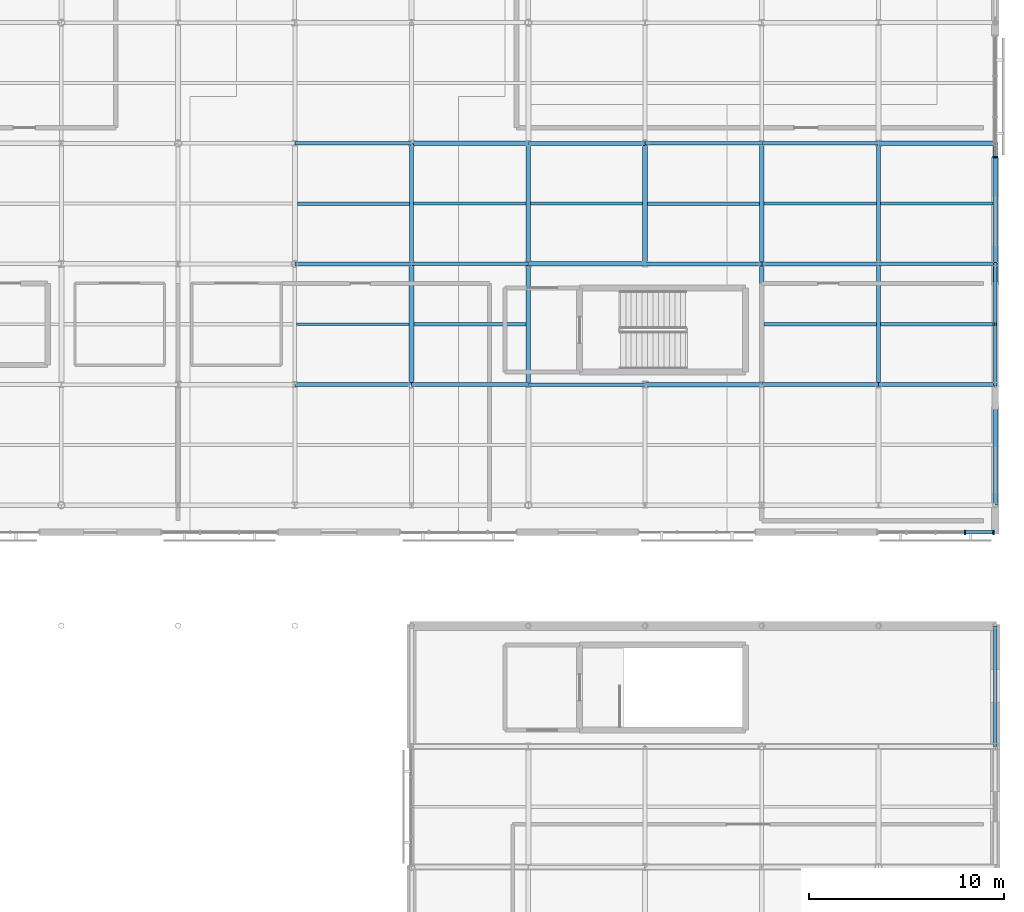
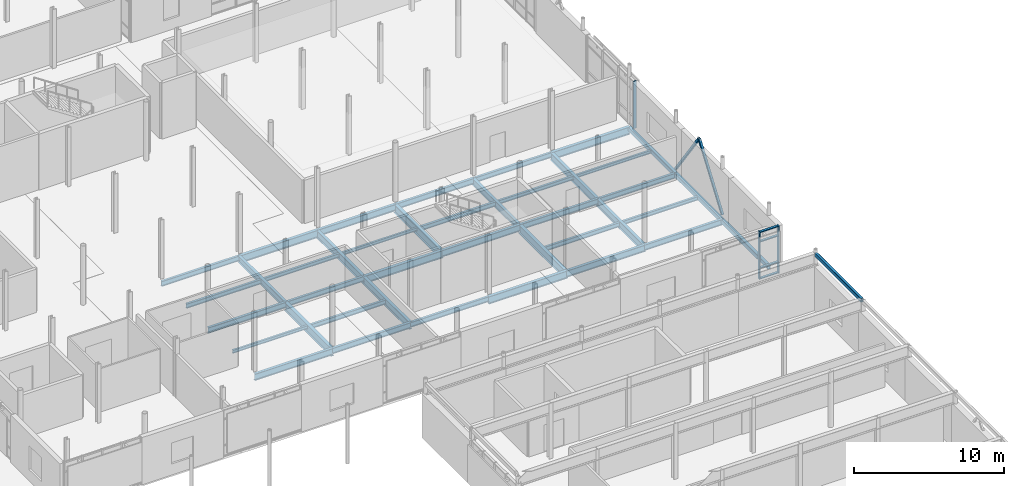
# One storey, part 43 of 84: 41 beams, 9 members, 2 elements without a shape of their own.
"""IFC4 building model written with IfcOpenShell, lengths in metres."""

from ifc_helpers import new_model, si_unit, direction, frame, origin, origin_2d, place, context, subcontext, project, spatial, rectangle, hollow_rectangle, i_section, extrude, material, layer, layer_set, material_profile, profile_set, type_object, element, aggregate, save


model = new_model("IFC4")

# Units and contexts
model_context = context("Model", 3, precision=1e-05, world=origin(), true_north=direction((0.0, 1.0)))
body_context = subcontext(model_context, "Body", "Model", "MODEL_VIEW")
ifc_project = project(units=[si_unit("LENGTHUNIT", "METRE"), si_unit("AREAUNIT", "SQUARE_METRE"), si_unit("VOLUMEUNIT", "CUBIC_METRE"), si_unit("PLANEANGLEUNIT", "RADIAN"), si_unit("MASSUNIT", "GRAM", prefix="KILO")], contexts=[model_context])

# Site, building, storey
site_placement = place(None, origin())
site = spatial("IfcSite", under=ifc_project, at=site_placement, CompositionType="ELEMENT")
building_placement = place(site_placement, origin())
building = spatial("IfcBuilding", under=site, at=building_placement, Name="Mirzam Square Science Centre", CompositionType="ELEMENT")
storey_placement = place(building_placement, frame((0.0, 0.0, 10.800048828125)))
storey = spatial("IfcBuildingStorey", under=building, at=storey_placement, Name="L02", CompositionType="ELEMENT", Elevation=10.800048828125)

# Beams
ifc_material_1 = material(Name="Steel S355", Category="steel")
ifc_material_profile_1 = material_profile(ifc_material_1, i_section(OverallWidth=0.1787109375, OverallDepth=0.409423828125, WebThickness=0.0087890625, FlangeThickness=0.014404296875, FilletRadius=0.01025390625, at=origin_2d()), Name="406x178x67UB")
ifc_profile_set_1 = profile_set([ifc_material_profile_1], Name="Steel S355")
beam_type_1 = type_object("IfcBeamType", Name="BM-UB406", PredefinedType="BEAM", material=ifc_profile_set_1)
for number, where, z_axis, x_axis, name in (
    (1, (138.0, 49.60009765625, -0.454833984375), (1.0, 0.0, 0.0), (0.0, 1.0, 0.0), "L02 girder X24-9"),
    (2, (132.0, 55.800048828125, -0.454833984375), (1.0, 0.0, 0.0), (0.0, 1.0, 0.0), "L02 girder X23-10"),
    (3, (156.0, 55.800048828125, -0.454833984375), (1.0, 0.0, 0.0), (0.0, 1.0, 0.0), "L02 girder X27-10"),
    (4, (126.0, 62.0, -0.454833984375), (1.0, 0.0, 0.0), (0.0, 1.0, 0.0), "L02 girder X22-11"),
    (5, (150.0, 62.0, -0.454833984375), (1.0, 0.0, 0.0), (0.0, 1.0, 0.0), "L02 girder X26-11"),
):
    element("IfcBeam", number, at=place(storey_placement, frame(where, z_axis=z_axis, x_axis=x_axis)), inside=storey, type_object=beam_type_1, Name=name, PredefinedType="BEAM", context=body_context, shape_type="SweptSolid", body=[
        extrude(i_section(OverallWidth=0.1787109375, OverallDepth=0.409423828125, WebThickness=0.0087890625, FlangeThickness=0.014404296875, FilletRadius=0.01025390625, at=origin_2d()), origin(), (0.0, 0.0, 1.0), 6.0),
    ])
ifc_material_profile_2 = material_profile(ifc_material_1, i_section(OverallWidth=0.19140625, OverallDepth=0.4599609375, WebThickness=0.010009765625, FlangeThickness=0.01611328125, FilletRadius=0.01025390625, at=origin_2d()), Name="457x191x82UB")
ifc_profile_set_2 = profile_set([ifc_material_profile_2], Name="Steel S355")
beam_type_2 = type_object("IfcBeamType", Name="BM-UB457", PredefinedType="BEAM", material=ifc_profile_set_2)
for number, where, z_axis, x_axis, name in (
    (6, (132.0, 49.60009765625, -0.47998046875), (1.0, 0.0, 0.0), (0.0, 1.0, 0.0), "L02 girder X23-9"),
    (7, (156.0, 49.60009765625, -0.47998046875), (1.0, 0.0, 0.0), (0.0, 1.0, 0.0), "L02 girder X27-9"),
    (8, (126.0, 55.800048828125, -0.47998046875), (1.0, 0.0, 0.0), (0.0, 1.0, 0.0), "L02 girder X22-10"),
    (9, (150.0, 55.800048828125, -0.47998046875), (1.0, 0.0, 0.0), (0.0, 1.0, 0.0), "L02 girder X26-10"),
    (10, (144.0, 62.0, -0.47998046875), (1.0, 0.0, 0.0), (0.0, 1.0, 0.0), "L02 girder X25-11"),
):
    element("IfcBeam", number, at=place(storey_placement, frame(where, z_axis=z_axis, x_axis=x_axis)), inside=storey, type_object=beam_type_2, Name=name, PredefinedType="BEAM", context=body_context, shape_type="SweptSolid", body=[
        extrude(i_section(OverallWidth=0.19140625, OverallDepth=0.4599609375, WebThickness=0.010009765625, FlangeThickness=0.01611328125, FilletRadius=0.01025390625, at=origin_2d()), origin(), (0.0, 0.0, 1.0), 6.0),
    ])
ifc_material_profile_3 = material_profile(ifc_material_1, i_section(OverallWidth=0.2099609375, OverallDepth=0.53662109375, WebThickness=0.0107421875, FlangeThickness=0.017333984375, FilletRadius=0.0126953125, at=origin_2d()), Name="533x210x101UB")
ifc_profile_set_3 = profile_set([ifc_material_profile_3], Name="Steel S355")
beam_type_3 = type_object("IfcBeamType", Name="BM-UB533", PredefinedType="BEAM", material=ifc_profile_set_3)
for number, where, z_axis, x_axis, name in (
    (11, (126.0, 49.60009765625, -0.518310546875), (1.0, 0.0, 0.0), (0.0, 1.0, 0.0), "L02 girder X22-9"),
    (12, (150.0, 49.60009765625, -0.518310546875), (1.0, 0.0, 0.0), (0.0, 1.0, 0.0), "L02 girder X26-9"),
    (13, (144.0, 55.800048828125, -0.518310546875), (1.0, 0.0, 0.0), (0.0, 1.0, 0.0), "L02 girder X25-10"),
    (14, (138.0, 62.0, -0.518310546875), (1.0, 0.0, 0.0), (0.0, 1.0, 0.0), "L02 girder X24-11"),
):
    element("IfcBeam", number, at=place(storey_placement, frame(where, z_axis=z_axis, x_axis=x_axis)), inside=storey, type_object=beam_type_3, Name=name, PredefinedType="BEAM", context=body_context, shape_type="SweptSolid", body=[
        extrude(i_section(OverallWidth=0.2099609375, OverallDepth=0.53662109375, WebThickness=0.0107421875, FlangeThickness=0.017333984375, FilletRadius=0.0126953125, at=origin_2d()), origin(), (0.0, 0.0, 1.0), 6.0),
    ])
for number, where, z_axis, x_axis, name in (
    (15, (132.0, 55.800048828125, -0.518310546875), (0.0, 1.0, 0.0), (-1.0, 0.0, 0.0), "L02 girder Y23-10"),
    (16, (150.0, 55.800048828125, -0.518310546875), (0.0, 1.0, 0.0), (-1.0, 0.0, 0.0), "L02 girder Y26-10"),
):
    element("IfcBeam", number, at=place(storey_placement, frame(where, z_axis=z_axis, x_axis=x_axis)), inside=storey, type_object=beam_type_3, Name=name, PredefinedType="BEAM", context=body_context, shape_type="SweptSolid", body=[
        extrude(i_section(OverallWidth=0.2099609375, OverallDepth=0.53662109375, WebThickness=0.0107421875, FlangeThickness=0.017333984375, FilletRadius=0.0126953125, at=origin_2d()), origin(), (0.0, 0.0, 1.0), 6.199951171875),
    ])
ifc_material_profile_4 = material_profile(ifc_material_1, i_section(OverallWidth=0.22900390625, OverallDepth=0.6123046875, WebThickness=0.011962890625, FlangeThickness=0.01953125, FilletRadius=0.0126953125, at=origin_2d()), Name="610x229x125UB")
ifc_profile_set_4 = profile_set([ifc_material_profile_4], Name="Steel S355")
beam_type_4 = type_object("IfcBeamType", Name="BM-UB610", PredefinedType="BEAM", material=ifc_profile_set_4)
for number, where, z_axis, x_axis, name in (
    (17, (144.0, 49.60009765625, -0.55615234375), (1.0, 0.0, 0.0), (0.0, 1.0, 0.0), "L02 girder X25-9"),
    (18, (138.0, 55.800048828125, -0.55615234375), (1.0, 0.0, 0.0), (0.0, 1.0, 0.0), "L02 girder X24-10"),
    (19, (132.0, 62.0, -0.55615234375), (1.0, 0.0, 0.0), (0.0, 1.0, 0.0), "L02 girder X23-11"),
    (20, (156.0, 62.0, -0.55615234375), (1.0, 0.0, 0.0), (0.0, 1.0, 0.0), "L02 girder X27-11"),
):
    element("IfcBeam", number, at=place(storey_placement, frame(where, z_axis=z_axis, x_axis=x_axis)), inside=storey, type_object=beam_type_4, Name=name, PredefinedType="BEAM", context=body_context, shape_type="SweptSolid", body=[
        extrude(i_section(OverallWidth=0.22900390625, OverallDepth=0.6123046875, WebThickness=0.011962890625, FlangeThickness=0.01953125, FilletRadius=0.0126953125, at=origin_2d()), origin(), (0.0, 0.0, 1.0), 6.0),
    ])
for number, where, z_axis, x_axis, name in (
    (21, (138.0, 49.60009765625, -0.55615234375), (0.0, 1.0, 0.0), (-1.0, 0.0, 0.0), "L02 girder Y24-9"),
    (22, (138.0, 55.800048828125, -0.55615234375), (0.0, 1.0, 0.0), (-1.0, 0.0, 0.0), "L02 girder Y24-10"),
    (23, (156.0, 49.60009765625, -0.55615234375), (0.0, 1.0, 0.0), (-1.0, 0.0, 0.0), "L02 girder Y27-9"),
    (24, (156.0, 55.800048828125, -0.55615234375), (0.0, 1.0, 0.0), (-1.0, 0.0, 0.0), "L02 girder Y27-10"),
):
    element("IfcBeam", number, at=place(storey_placement, frame(where, z_axis=z_axis, x_axis=x_axis)), inside=storey, type_object=beam_type_4, Name=name, PredefinedType="BEAM", context=body_context, shape_type="SweptSolid", body=[
        extrude(i_section(OverallWidth=0.22900390625, OverallDepth=0.6123046875, WebThickness=0.011962890625, FlangeThickness=0.01953125, FilletRadius=0.0126953125, at=origin_2d()), origin(), (0.0, 0.0, 1.0), 6.199951171875),
    ])
ifc_material_profile_5 = material_profile(ifc_material_1, i_section(OverallWidth=0.25439453125, OverallDepth=0.6875, WebThickness=0.01318359375, FlangeThickness=0.02099609375, FilletRadius=0.01513671875, at=origin_2d()), Name="686x254x152UB")
ifc_profile_set_5 = profile_set([ifc_material_profile_5], Name="Steel S355")
beam_type_5 = type_object("IfcBeamType", Name="BM-UB686", PredefinedType="BEAM", material=ifc_profile_set_5)
for number, where, z_axis, x_axis, name in (
    (25, (132.0, 49.60009765625, -0.59375), (0.0, 1.0, 0.0), (-1.0, 0.0, 0.0), "L02 girder Y23-9"),
    (26, (144.0, 55.800048828125, -0.59375), (0.0, 1.0, 0.0), (-1.0, 0.0, 0.0), "L02 girder Y25-10"),
    (27, (150.0, 49.60009765625, -0.59375), (0.0, 1.0, 0.0), (-1.0, 0.0, 0.0), "L02 girder Y26-9"),
):
    element("IfcBeam", number, at=place(storey_placement, frame(where, z_axis=z_axis, x_axis=x_axis)), inside=storey, type_object=beam_type_5, Name=name, PredefinedType="BEAM", context=body_context, shape_type="SweptSolid", body=[
        extrude(i_section(OverallWidth=0.25439453125, OverallDepth=0.6875, WebThickness=0.01318359375, FlangeThickness=0.02099609375, FilletRadius=0.01513671875, at=origin_2d()), origin(), (0.0, 0.0, 1.0), 6.199951171875),
    ])

# Members
ifc_material_profile_6 = material_profile(ifc_material_1, hollow_rectangle(XDim=0.179931640625, YDim=0.179931640625, WallThickness=0.010009765625, InnerFilletRadius=0.010009765625, OuterFilletRadius=0.02001953125, at=origin_2d()), Name="180x180x10.0SHS")
ifc_profile_set_6 = profile_set([ifc_material_profile_6], Name="Steel S355")
member_type_1 = type_object("IfcMemberType", Name="BR-SHS180", PredefinedType="BRACE", material=ifc_profile_set_6)
member_1_placement = place(storey_placement, frame((162.0, 49.60009765625, 0.050048828125), z_axis=(0.0, 0.582556831518, 0.812789971673), x_axis=(-1.0, 0.0, 0.0)))
element("IfcMember", 28, at=member_1_placement, inside=storey, type_object=member_type_1, Name="L02 chevron brace 4A", PredefinedType="BRACE", context=body_context, shape_type="SweptSolid", body=[
    extrude(hollow_rectangle(XDim=0.179931640625, YDim=0.179931640625, WallThickness=0.010009765625, InnerFilletRadius=0.010009765625, OuterFilletRadius=0.02001953125, at=origin_2d()), origin(), (0.0, 0.0, 1.0), 5.321044921875),
])
member_2_placement = place(storey_placement, frame((162.0, 55.800048828125, 0.050048828125), z_axis=(0.0, -0.582587140855, 0.812768246987), x_axis=(1.0, 0.0, 0.0)))
element("IfcMember", 29, at=member_2_placement, inside=storey, type_object=member_type_1, Name="L02 chevron brace 4B", PredefinedType="BRACE", context=body_context, shape_type="SweptSolid", body=[
    extrude(hollow_rectangle(XDim=0.179931640625, YDim=0.179931640625, WallThickness=0.010009765625, InnerFilletRadius=0.010009765625, OuterFilletRadius=0.02001953125, at=origin_2d()), origin(), (0.0, 0.0, 1.0), 5.3212890625),
])

# Curtain wall, members
ifc_material_2 = material(Name="Anodised Aluminium and Low-E Solar Glass", Category="aluminium")
ifc_layer_1 = layer(ifc_material_2, 0.159912109375)
ifc_layer_set_1 = layer_set([ifc_layer_1], Name="CW-COURT-B")
curtain_wall_type_1 = type_object("IfcCurtainWallType", Name="CW-COURT-B", PredefinedType="USERDEFINED", material=ifc_layer_set_1)
curtain_wall_1_placement = place(storey_placement, origin())
curtain_wall_1 = element("IfcCurtainWall", 30, at=curtain_wall_1_placement, inside=storey, type_object=curtain_wall_type_1, Name="L02 unitised curtain wall 104", ObjectType="UNITISED CURTAIN WALL", PredefinedType="USERDEFINED")
ifc_material_3 = material(Name="Anodised Architectural Aluminium 6063-T6", Category="aluminium")
ifc_material_profile_7 = material_profile(ifc_material_3, rectangle(XDim=0.074951171875, YDim=0.239990234375, at=origin_2d()), Name="ALU-MULL-240x75x5")
ifc_profile_set_7 = profile_set([ifc_material_profile_7], Name="Anodised Architectural Aluminium 6063-T6")
member_type_2 = type_object("IfcMemberType", Name="CWM-240", PredefinedType="MULLION", material=ifc_profile_set_7)
member_3_placement = place(storey_placement, frame((160.439208984375, 42.0, 0.0), z_axis=(0.0, 0.0, 1.0), x_axis=(1.0, 0.0, 0.0)))
member_3 = element("IfcMember", 31, at=member_3_placement, type_object=member_type_2, Name="CW-04 mullion 4", PredefinedType="MULLION", context=body_context, shape_type="SweptSolid", body=[
    extrude(rectangle(XDim=0.074951171875, YDim=0.239990234375, at=origin_2d()), origin(), (0.0, 0.0, 1.0), 3.83984375),
])
member_4_placement = place(storey_placement, frame((161.907470703125, 42.0, 0.0), z_axis=(0.0, 0.0, 1.0), x_axis=(1.0, 0.0, 0.0)))
member_4 = element("IfcMember", 32, at=member_4_placement, type_object=member_type_2, Name="CW-04 mullion 5", PredefinedType="MULLION", context=body_context, shape_type="SweptSolid", body=[
    extrude(rectangle(XDim=0.074951171875, YDim=0.239990234375, at=origin_2d()), origin(), (0.0, 0.0, 1.0), 3.83984375),
])

# Curtain wall, member
ifc_layer_2 = layer(ifc_material_2, 0.239990234375)
ifc_layer_set_2 = layer_set([ifc_layer_2], Name="CW-EAST-B")
curtain_wall_type_2 = type_object("IfcCurtainWallType", Name="CW-EAST-B", PredefinedType="USERDEFINED", material=ifc_layer_set_2)
curtain_wall_2_placement = place(storey_placement, origin())
curtain_wall_2 = element("IfcCurtainWall", 33, at=curtain_wall_2_placement, inside=storey, type_object=curtain_wall_type_2, Name="L02 unitised curtain wall 105", ObjectType="UNITISED CURTAIN WALL", PredefinedType="USERDEFINED")
member_5_placement = place(storey_placement, frame((162.0, 61.29248046875, 0.0), z_axis=(0.0, 0.0, 1.0), x_axis=(0.0, 1.0, 0.0)))
member_5 = element("IfcMember", 34, at=member_5_placement, type_object=member_type_2, Name="CW-06 mullion 1", PredefinedType="MULLION", context=body_context, shape_type="SweptSolid", body=[
    extrude(rectangle(XDim=0.074951171875, YDim=0.239990234375, at=origin_2d()), origin(), (0.0, 0.0, 1.0), 3.83984375),
])
aggregate(curtain_wall_2, [member_5])

# Member
ifc_material_profile_8 = material_profile(ifc_material_3, rectangle(XDim=0.179931640625, YDim=0.074951171875, at=origin_2d()), Name="ALU-TRAN-180x75x5")
ifc_profile_set_8 = profile_set([ifc_material_profile_8], Name="Anodised Architectural Aluminium 6063-T6")
member_type_3 = type_object("IfcMemberType", Name="CWT-180", PredefinedType="USERDEFINED", material=ifc_profile_set_8)
member_6_placement = place(storey_placement, frame((160.4765625, 42.0, 0.037353515625), z_axis=(1.0, 0.0, 0.0), x_axis=(0.0, 1.0, 0.0)))
member_6 = element("IfcMember", 35, at=member_6_placement, type_object=member_type_3, Name="CW-04 transom 4.1", ObjectType="TRANSOM", PredefinedType="USERDEFINED", context=body_context, shape_type="SweptSolid", body=[
    extrude(rectangle(XDim=0.179931640625, YDim=0.074951171875, at=origin_2d()), origin(), (0.0, 0.0, 1.0), 1.3935546875),
])

member_7_placement = place(storey_placement, frame((160.4765625, 42.0, 0.89990234375), z_axis=(1.0, 0.0, 0.0), x_axis=(0.0, 1.0, 0.0)))
member_7 = element("IfcMember", 36, at=member_7_placement, type_object=member_type_3, Name="CW-04 transom 4.2", ObjectType="TRANSOM", PredefinedType="USERDEFINED", context=body_context, shape_type="SweptSolid", body=[
    extrude(rectangle(XDim=0.179931640625, YDim=0.074951171875, at=origin_2d()), origin(), (0.0, 0.0, 1.0), 1.3935546875),
])

member_8_placement = place(storey_placement, frame((160.4765625, 42.0, 3.0400390625), z_axis=(1.0, 0.0, 0.0), x_axis=(0.0, 1.0, 0.0)))
member_8 = element("IfcMember", 37, at=member_8_placement, type_object=member_type_3, Name="CW-04 transom 4.3", ObjectType="TRANSOM", PredefinedType="USERDEFINED", context=body_context, shape_type="SweptSolid", body=[
    extrude(rectangle(XDim=0.179931640625, YDim=0.074951171875, at=origin_2d()), origin(), (0.0, 0.0, 1.0), 1.3935546875),
])

member_9_placement = place(storey_placement, frame((160.4765625, 42.0, 3.802490234375), z_axis=(1.0, 0.0, 0.0), x_axis=(0.0, 1.0, 0.0)))
member_9 = element("IfcMember", 38, at=member_9_placement, type_object=member_type_3, Name="CW-04 transom 4.4", ObjectType="TRANSOM", PredefinedType="USERDEFINED", context=body_context, shape_type="SweptSolid", body=[
    extrude(rectangle(XDim=0.179931640625, YDim=0.074951171875, at=origin_2d()), origin(), (0.0, 0.0, 1.0), 1.3935546875),
])

aggregate(curtain_wall_1, [member_3, member_4, member_6, member_7, member_8, member_9])

# Beams
ifc_material_profile_9 = material_profile(ifc_material_1, i_section(OverallWidth=0.146484375, OverallDepth=0.256103515625, WebThickness=0.00634765625, FlangeThickness=0.010986328125, FilletRadius=0.007568359375, at=origin_2d()), Name="254x146x37UB")
ifc_profile_set_9 = profile_set([ifc_material_profile_9], Name="Steel S355")
beam_type_6 = type_object("IfcBeamType", Name="JS-UB254", PredefinedType="JOIST", material=ifc_profile_set_9)
beam_1_placement = place(storey_placement, frame((126.095703125, 52.699951171875, -0.3779296875), z_axis=(1.0, 0.0, 0.0), x_axis=(0.0, 1.0, 0.0)))
element("IfcBeam", 39, at=beam_1_placement, inside=storey, type_object=beam_type_6, Name="L02 composite joist 22-9", PredefinedType="JOIST", context=body_context, shape_type="SweptSolid", body=[
    extrude(i_section(OverallWidth=0.146484375, OverallDepth=0.256103515625, WebThickness=0.00634765625, FlangeThickness=0.010986328125, FilletRadius=0.007568359375, at=origin_2d()), origin(), (0.0, 0.0, 1.0), 5.777099609375),
])
beam_2_placement = place(storey_placement, frame((138.114501953125, 58.89990234375, -0.3779296875), z_axis=(1.0, 0.0, 0.0), x_axis=(0.0, 1.0, 0.0)))
element("IfcBeam", 40, at=beam_2_placement, inside=storey, type_object=beam_type_6, Name="L02 composite joist 24-10", PredefinedType="JOIST", context=body_context, shape_type="SweptSolid", body=[
    extrude(i_section(OverallWidth=0.146484375, OverallDepth=0.256103515625, WebThickness=0.00634765625, FlangeThickness=0.010986328125, FilletRadius=0.007568359375, at=origin_2d()), origin(), (0.0, 0.0, 1.0), 5.75830078125),
])
beam_3_placement = place(storey_placement, frame((156.114501953125, 58.89990234375, -0.3779296875), z_axis=(1.0, 0.0, 0.0), x_axis=(0.0, 1.0, 0.0)))
element("IfcBeam", 41, at=beam_3_placement, inside=storey, type_object=beam_type_6, Name="L02 composite joist 27-10", PredefinedType="JOIST", context=body_context, shape_type="SweptSolid", body=[
    extrude(i_section(OverallWidth=0.146484375, OverallDepth=0.256103515625, WebThickness=0.00634765625, FlangeThickness=0.010986328125, FilletRadius=0.007568359375, at=origin_2d()), origin(), (0.0, 0.0, 1.0), 5.760498046875),
])
ifc_material_profile_10 = material_profile(ifc_material_1, i_section(OverallWidth=0.165771484375, OverallDepth=0.306640625, WebThickness=0.006591796875, FlangeThickness=0.01171875, FilletRadius=0.0087890625, at=origin_2d()), Name="305x165x46UB")
ifc_profile_set_10 = profile_set([ifc_material_profile_10], Name="Steel S355")
beam_type_7 = type_object("IfcBeamType", Name="JS-UB305", PredefinedType="JOIST", material=ifc_profile_set_10)
for number, where, z_axis, x_axis, name in (
    (42, (132.10498046875, 58.89990234375, -0.4033203125), (1.0, 0.0, 0.0), (0.0, 1.0, 0.0), "L02 composite joist 23-10"),
    (43, (150.10498046875, 58.89990234375, -0.4033203125), (1.0, 0.0, 0.0), (0.0, 1.0, 0.0), "L02 composite joist 26-10"),
):
    element("IfcBeam", number, at=place(storey_placement, frame(where, z_axis=z_axis, x_axis=x_axis)), inside=storey, type_object=beam_type_7, Name=name, PredefinedType="JOIST", context=body_context, shape_type="SweptSolid", body=[
        extrude(i_section(OverallWidth=0.165771484375, OverallDepth=0.306640625, WebThickness=0.006591796875, FlangeThickness=0.01171875, FilletRadius=0.0087890625, at=origin_2d()), origin(), (0.0, 0.0, 1.0), 5.780517578125),
    ])
beam_4_placement = place(storey_placement, frame((156.114501953125, 52.699951171875, -0.4033203125), z_axis=(1.0, 0.0, 0.0), x_axis=(0.0, 1.0, 0.0)))
element("IfcBeam", 44, at=beam_4_placement, inside=storey, type_object=beam_type_7, Name="L02 composite joist 27-9", PredefinedType="JOIST", context=body_context, shape_type="SweptSolid", body=[
    extrude(i_section(OverallWidth=0.165771484375, OverallDepth=0.306640625, WebThickness=0.006591796875, FlangeThickness=0.01171875, FilletRadius=0.0087890625, at=origin_2d()), origin(), (0.0, 0.0, 1.0), 5.760498046875),
])
ifc_material_profile_11 = material_profile(ifc_material_1, i_section(OverallWidth=0.172119140625, OverallDepth=0.35791015625, WebThickness=0.008056640625, FlangeThickness=0.012939453125, FilletRadius=0.01025390625, at=origin_2d()), Name="356x171x57UB")
ifc_profile_set_11 = profile_set([ifc_material_profile_11], Name="Steel S355")
beam_type_8 = type_object("IfcBeamType", Name="JS-UB356", PredefinedType="JOIST", material=ifc_profile_set_11)
beam_5_placement = place(storey_placement, frame((126.127197265625, 58.89990234375, -0.428955078125), z_axis=(1.0, 0.0, 0.0), x_axis=(0.0, 1.0, 0.0)))
element("IfcBeam", 45, at=beam_5_placement, inside=storey, type_object=beam_type_8, Name="L02 composite joist 22-10", PredefinedType="JOIST", context=body_context, shape_type="SweptSolid", body=[
    extrude(i_section(OverallWidth=0.172119140625, OverallDepth=0.35791015625, WebThickness=0.008056640625, FlangeThickness=0.012939453125, FilletRadius=0.01025390625, at=origin_2d()), origin(), (0.0, 0.0, 1.0), 5.767822265625),
])
beam_6_placement = place(storey_placement, frame((132.127197265625, 52.699951171875, -0.428955078125), z_axis=(1.0, 0.0, 0.0), x_axis=(0.0, 1.0, 0.0)))
element("IfcBeam", 46, at=beam_6_placement, inside=storey, type_object=beam_type_8, Name="L02 composite joist 23-9", PredefinedType="JOIST", context=body_context, shape_type="SweptSolid", body=[
    extrude(i_section(OverallWidth=0.172119140625, OverallDepth=0.35791015625, WebThickness=0.008056640625, FlangeThickness=0.012939453125, FilletRadius=0.01025390625, at=origin_2d()), origin(), (0.0, 0.0, 1.0), 5.75830078125),
])
beam_7_placement = place(storey_placement, frame((144.127197265625, 58.89990234375, -0.428955078125), z_axis=(1.0, 0.0, 0.0), x_axis=(0.0, 1.0, 0.0)))
element("IfcBeam", 47, at=beam_7_placement, inside=storey, type_object=beam_type_8, Name="L02 composite joist 25-10", PredefinedType="JOIST", context=body_context, shape_type="SweptSolid", body=[
    extrude(i_section(OverallWidth=0.172119140625, OverallDepth=0.35791015625, WebThickness=0.008056640625, FlangeThickness=0.012939453125, FilletRadius=0.01025390625, at=origin_2d()), origin(), (0.0, 0.0, 1.0), 5.767822265625),
])
beam_8_placement = place(storey_placement, frame((150.127197265625, 52.699951171875, -0.428955078125), z_axis=(1.0, 0.0, 0.0), x_axis=(0.0, 1.0, 0.0)))
element("IfcBeam", 48, at=beam_8_placement, inside=storey, type_object=beam_type_8, Name="L02 composite joist 26-9", PredefinedType="JOIST", context=body_context, shape_type="SweptSolid", body=[
    extrude(i_section(OverallWidth=0.172119140625, OverallDepth=0.35791015625, WebThickness=0.008056640625, FlangeThickness=0.012939453125, FilletRadius=0.01025390625, at=origin_2d()), origin(), (0.0, 0.0, 1.0), 5.75830078125),
])
ifc_material_profile_12 = material_profile(ifc_material_1, hollow_rectangle(XDim=0.199951171875, YDim=0.300048828125, WallThickness=0.010009765625, InnerFilletRadius=0.010009765625, OuterFilletRadius=0.02001953125, at=origin_2d()), Name="300x200x10.0RHS")
ifc_profile_set_12 = profile_set([ifc_material_profile_12], Name="Steel S355")
beam_type_9 = type_object("IfcBeamType", Name="SP-RHS300", PredefinedType="SPANDREL", material=ifc_profile_set_12)
beam_9_placement = place(storey_placement, frame((162.0, 31.0, 4.3798828125), z_axis=(0.0, 1.0, 0.0), x_axis=(-1.0, 0.0, 0.0)))
element("IfcBeam", 49, at=beam_9_placement, inside=storey, type_object=beam_type_9, Name="Theatre roof edge beam X28-6", PredefinedType="SPANDREL", context=body_context, shape_type="SweptSolid", body=[
    extrude(hollow_rectangle(XDim=0.199951171875, YDim=0.300048828125, WallThickness=0.010009765625, InnerFilletRadius=0.010009765625, OuterFilletRadius=0.02001953125, at=origin_2d()), origin(), (0.0, 0.0, 1.0), 6.199951171875),
])
ifc_material_profile_13 = material_profile(ifc_material_1, hollow_rectangle(XDim=0.25, YDim=0.35009765625, WallThickness=0.012451171875, InnerFilletRadius=0.012451171875, OuterFilletRadius=0.02490234375, at=origin_2d()), Name="350x250x12.5RHS")
ifc_profile_set_13 = profile_set([ifc_material_profile_13], Name="Steel S355")
beam_type_10 = type_object("IfcBeamType", Name="SP-RHS350", PredefinedType="SPANDREL", material=ifc_profile_set_13)
beam_10_placement = place(storey_placement, frame((162.0, 43.39990234375, -0.425048828125), z_axis=(0.0, 1.0, 0.0), x_axis=(-1.0, 0.0, 0.0)))
element("IfcBeam", 50, at=beam_10_placement, inside=storey, type_object=beam_type_10, Name="L02 girder Y28-8", PredefinedType="SPANDREL", context=body_context, shape_type="SweptSolid", body=[
    extrude(hollow_rectangle(XDim=0.25, YDim=0.35009765625, WallThickness=0.012451171875, InnerFilletRadius=0.012451171875, OuterFilletRadius=0.02490234375, at=origin_2d()), origin(), (0.0, 0.0, 1.0), 6.2001953125),
])
for number, where, z_axis, x_axis, name in (
    (51, (162.0, 49.60009765625, -0.425048828125), (0.0, 1.0, 0.0), (-1.0, 0.0, 0.0), "L02 girder Y28-9"),
    (52, (162.0, 55.800048828125, -0.425048828125), (0.0, 1.0, 0.0), (-1.0, 0.0, 0.0), "L02 girder Y28-10"),
):
    element("IfcBeam", number, at=place(storey_placement, frame(where, z_axis=z_axis, x_axis=x_axis)), inside=storey, type_object=beam_type_10, Name=name, PredefinedType="SPANDREL", context=body_context, shape_type="SweptSolid", body=[
        extrude(hollow_rectangle(XDim=0.25, YDim=0.35009765625, WallThickness=0.012451171875, InnerFilletRadius=0.012451171875, OuterFilletRadius=0.02490234375, at=origin_2d()), origin(), (0.0, 0.0, 1.0), 6.199951171875),
    ])

save(model, "model.ifc")
